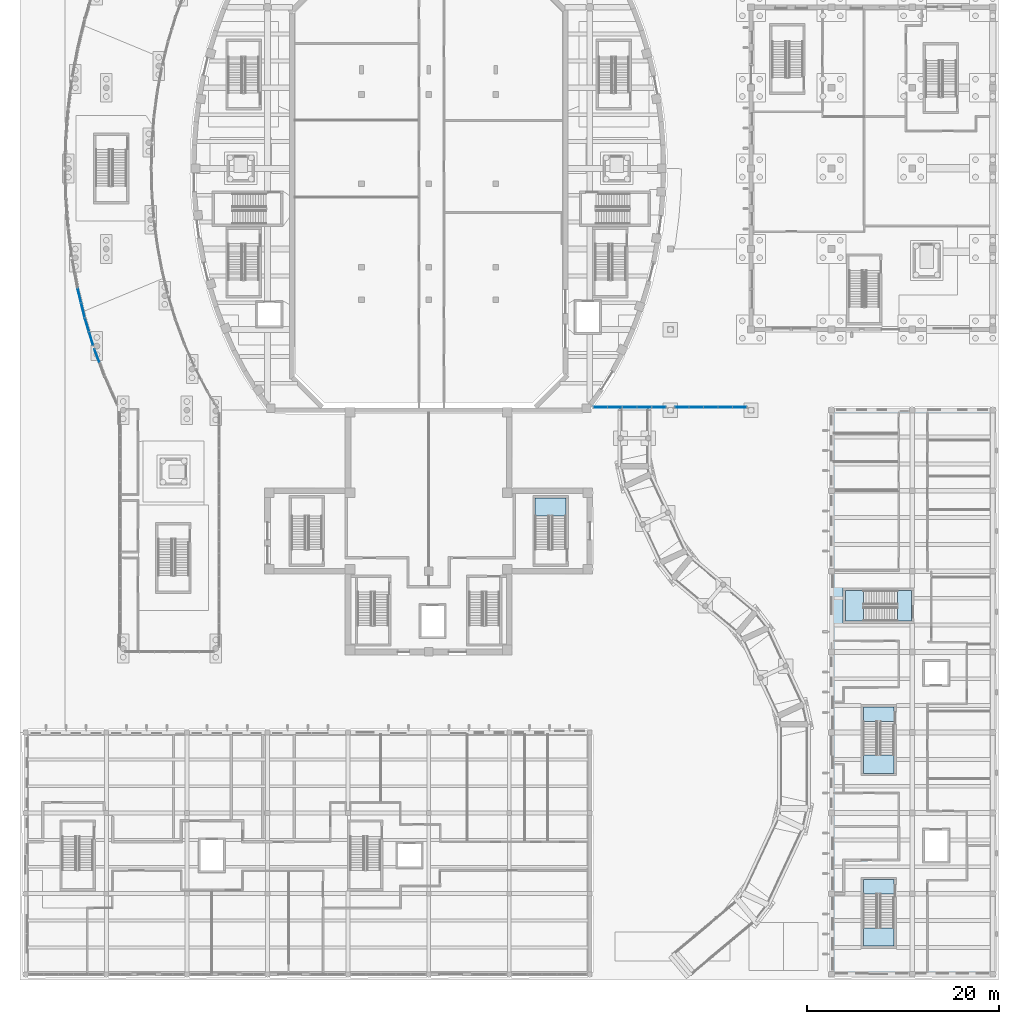
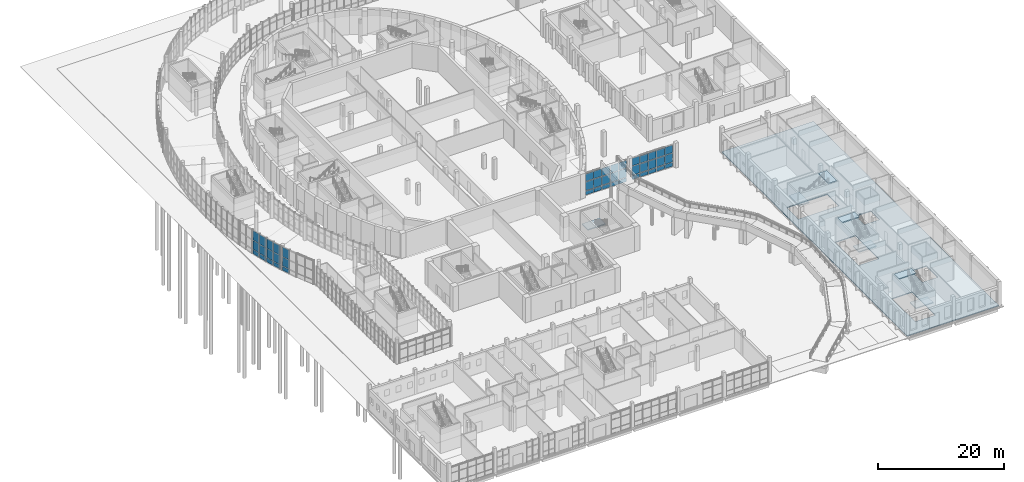
# One storey, part 42 of 110: 45 plates, 8 slabs, 9 elements without a shape of their own.
"""IFC4 building model written with IfcOpenShell, lengths in metres."""

from ifc_helpers import new_model, si_unit, direction, frame, origin, origin_2d, place, context, subcontext, project, spatial, polyline, rectangle, outline, extrude, material, layer, layer_set, type_object, element, aggregate, save


model = new_model("IFC4")

# Units and contexts
model_context = context("Model", 3, precision=1e-05, world=origin(), true_north=direction((0.0, 1.0)))
body_context = subcontext(model_context, "Body", "Model", "MODEL_VIEW")
ifc_project = project(units=[si_unit("LENGTHUNIT", "METRE"), si_unit("AREAUNIT", "SQUARE_METRE"), si_unit("VOLUMEUNIT", "CUBIC_METRE"), si_unit("PLANEANGLEUNIT", "RADIAN"), si_unit("MASSUNIT", "GRAM", prefix="KILO")], contexts=[model_context])

# Site, building, storey
site_placement = place(None, origin())
site = spatial("IfcSite", under=ifc_project, at=site_placement, CompositionType="ELEMENT")
building_placement = place(site_placement, origin())
building = spatial("IfcBuilding", under=site, at=building_placement, Name="Larchfold Concert Hall", CompositionType="ELEMENT")
storey_placement = place(building_placement, origin())
storey = spatial("IfcBuildingStorey", under=building, at=storey_placement, Name="L00", CompositionType="ELEMENT", Elevation=0.0)

# Curtain wall, plates
ifc_material_1 = material(Name="Anodised graphite aluminium curtain wall", Category="aluminium")
ifc_layer_1 = layer(ifc_material_1, 0.14990234375)
ifc_layer_set_1 = layer_set([ifc_layer_1], Name="Anodised graphite aluminium curtain wall")
curtain_wall_type_1 = type_object("IfcCurtainWallType", Name="Curtain wall WG", PredefinedType="NOTDEFINED", material=ifc_layer_set_1)
curtain_wall_1_placement = place(storey_placement, origin())
curtain_wall_1 = element("IfcCurtainWall", 1, at=curtain_wall_1_placement, inside=storey, type_object=curtain_wall_type_1, Name="Curtain wall CW0123", PredefinedType="NOTDEFINED")
ifc_material_2 = material(Name="Insulated glazing unit, glass", Category="glass")
ifc_layer_2 = layer(ifc_material_2, 0.028076171875)
ifc_layer_set_2 = layer_set([ifc_layer_2], Name="Insulated glazing unit, glass")
plate_type_1 = type_object("IfcPlateType", Name="Glass panel 28", PredefinedType="CURTAIN_PANEL", material=ifc_layer_set_2)
plate_1_placement = place(storey_placement, frame((6.19384765625, 71.342041015625, 0.93994140625), z_axis=(0.0, 0.0, 1.0), x_axis=(0.235938309687, -0.97176803509, 0.0)))
plate_1 = element("IfcPlate", 2, at=plate_1_placement, type_object=plate_type_1, Name="CW0123 panel 1.2", PredefinedType="CURTAIN_PANEL", context=body_context, shape_type="SweptSolid", body=[
    extrude(rectangle(XDim=1.50048828125, YDim=0.028076171875, at=origin_2d()), origin(), (0.0, 0.0, 1.0), 1.719970703125),
])
plate_2_placement = place(storey_placement, frame((6.19384765625, 71.342041015625, 2.740234375), z_axis=(0.0, 0.0, 1.0), x_axis=(0.235938309687, -0.97176803509, 0.0)))
plate_2 = element("IfcPlate", 3, at=plate_2_placement, type_object=plate_type_1, Name="CW0123 panel 1.3", PredefinedType="CURTAIN_PANEL", context=body_context, shape_type="SweptSolid", body=[
    extrude(rectangle(XDim=1.50048828125, YDim=0.028076171875, at=origin_2d()), origin(), (0.0, 0.0, 1.0), 1.829833984375),
])
plate_3_placement = place(storey_placement, frame((6.56201171875, 69.82568359375, 0.93994140625), z_axis=(0.0, 0.0, 1.0), x_axis=(0.235938309687, -0.97176803509, 0.0)))
plate_3 = element("IfcPlate", 4, at=plate_3_placement, type_object=plate_type_1, Name="CW0123 panel 2.2", PredefinedType="CURTAIN_PANEL", context=body_context, shape_type="SweptSolid", body=[
    extrude(rectangle(XDim=1.50048828125, YDim=0.028076171875, at=origin_2d()), origin(), (0.0, 0.0, 1.0), 1.719970703125),
])
plate_4_placement = place(storey_placement, frame((6.56201171875, 69.82568359375, 2.740234375), z_axis=(0.0, 0.0, 1.0), x_axis=(0.235938309687, -0.97176803509, 0.0)))
plate_4 = element("IfcPlate", 5, at=plate_4_placement, type_object=plate_type_1, Name="CW0123 panel 2.3", PredefinedType="CURTAIN_PANEL", context=body_context, shape_type="SweptSolid", body=[
    extrude(rectangle(XDim=1.50048828125, YDim=0.028076171875, at=origin_2d()), origin(), (0.0, 0.0, 1.0), 1.829833984375),
])

curtain_wall_2_placement = place(storey_placement, origin())
curtain_wall_2 = element("IfcCurtainWall", 6, at=curtain_wall_2_placement, inside=storey, type_object=curtain_wall_type_1, Name="Curtain wall CW0124", PredefinedType="NOTDEFINED")
plate_5_placement = place(storey_placement, frame((6.978515625, 68.296142578125, 0.93994140625), z_axis=(0.0, 0.0, 1.0), x_axis=(0.29062197605, -0.956837952339, 0.0)))
plate_5 = element("IfcPlate", 7, at=plate_5_placement, type_object=plate_type_1, Name="CW0124 panel 1.2", PredefinedType="CURTAIN_PANEL", context=body_context, shape_type="SweptSolid", body=[
    extrude(rectangle(XDim=1.431396484375, YDim=0.028076171875, at=origin_2d()), origin(), (0.0, 0.0, 1.0), 1.719970703125),
])
plate_6_placement = place(storey_placement, frame((6.978515625, 68.296142578125, 2.740234375), z_axis=(0.0, 0.0, 1.0), x_axis=(0.29062197605, -0.956837952339, 0.0)))
plate_6 = element("IfcPlate", 8, at=plate_6_placement, type_object=plate_type_1, Name="CW0124 panel 1.3", PredefinedType="CURTAIN_PANEL", context=body_context, shape_type="SweptSolid", body=[
    extrude(rectangle(XDim=1.431396484375, YDim=0.028076171875, at=origin_2d()), origin(), (0.0, 0.0, 1.0), 1.829833984375),
])
plate_7_placement = place(storey_placement, frame((7.412109375, 66.869140625, 0.93994140625), z_axis=(0.0, 0.0, 1.0), x_axis=(0.29062197605, -0.956837952339, 0.0)))
plate_7 = element("IfcPlate", 9, at=plate_7_placement, type_object=plate_type_1, Name="CW0124 panel 2.2", PredefinedType="CURTAIN_PANEL", context=body_context, shape_type="SweptSolid", body=[
    extrude(rectangle(XDim=1.431396484375, YDim=0.028076171875, at=origin_2d()), origin(), (0.0, 0.0, 1.0), 1.719970703125),
])
plate_8_placement = place(storey_placement, frame((7.412109375, 66.869140625, 2.740234375), z_axis=(0.0, 0.0, 1.0), x_axis=(0.29062197605, -0.956837952339, 0.0)))
plate_8 = element("IfcPlate", 10, at=plate_8_placement, type_object=plate_type_1, Name="CW0124 panel 2.3", PredefinedType="CURTAIN_PANEL", context=body_context, shape_type="SweptSolid", body=[
    extrude(rectangle(XDim=1.431396484375, YDim=0.028076171875, at=origin_2d()), origin(), (0.0, 0.0, 1.0), 1.829833984375),
])

curtain_wall_3_placement = place(storey_placement, origin())
curtain_wall_3 = element("IfcCurtainWall", 11, at=curtain_wall_3_placement, inside=storey, type_object=curtain_wall_type_1, Name="Curtain wall CW0125", PredefinedType="NOTDEFINED")
plate_9_placement = place(storey_placement, frame((8.01708984375, 65.070556640625, 0.93994140625), z_axis=(0.0, 0.0, 1.0), x_axis=(0.346592402451, -0.938015834921, 0.0)))
plate_9 = element("IfcPlate", 12, at=plate_9_placement, type_object=plate_type_1, Name="CW0125 panel 1.2", PredefinedType="CURTAIN_PANEL", context=body_context, shape_type="SweptSolid", body=[
    extrude(rectangle(XDim=1.446533203125, YDim=0.028076171875, at=origin_2d()), origin(), (0.0, 0.0, 1.0), 1.719970703125),
])
plate_10_placement = place(storey_placement, frame((8.01708984375, 65.070556640625, 2.740234375), z_axis=(0.0, 0.0, 1.0), x_axis=(0.346592402451, -0.938015834921, 0.0)))
plate_10 = element("IfcPlate", 13, at=plate_10_placement, type_object=plate_type_1, Name="CW0125 panel 1.3", PredefinedType="CURTAIN_PANEL", context=body_context, shape_type="SweptSolid", body=[
    extrude(rectangle(XDim=1.446533203125, YDim=0.028076171875, at=origin_2d()), origin(), (0.0, 0.0, 1.0), 1.829833984375),
])

ifc_material_3 = material(Name="Anodised graphite aluminium curtain wall", Category="aluminium")
ifc_layer_3 = layer(ifc_material_3, 0.199951171875)
ifc_layer_set_3 = layer_set([ifc_layer_3], Name="Anodised graphite aluminium curtain wall")
curtain_wall_type_2 = type_object("IfcCurtainWallType", Name="Curtain wall PO", PredefinedType="NOTDEFINED", material=ifc_layer_set_3)
curtain_wall_4_placement = place(storey_placement, origin())
curtain_wall_4 = element("IfcCurtainWall", 14, at=curtain_wall_4_placement, inside=storey, type_object=curtain_wall_type_2, Name="Curtain wall CW0292", PredefinedType="NOTDEFINED")
ifc_material_4 = material(Name="Insulated glazing unit, glass", Category="glass")
ifc_layer_4 = layer(ifc_material_4, 0.031982421875)
ifc_layer_set_4 = layer_set([ifc_layer_4], Name="Insulated glazing unit, glass")
plate_type_2 = type_object("IfcPlateType", Name="Glass panel 32", PredefinedType="CURTAIN_PANEL", material=ifc_layer_set_4)
plate_11_placement = place(storey_placement, frame((60.500732421875, 59.699951171875, 0.9501953125), z_axis=(0.0, 0.0, 1.0), x_axis=(1.0, 0.0, 0.0)))
plate_11 = element("IfcPlate", 15, at=plate_11_placement, type_object=plate_type_2, Name="CW0292 panel 1.2", PredefinedType="CURTAIN_PANEL", context=body_context, shape_type="SweptSolid", body=[
    extrude(rectangle(XDim=1.415283203125, YDim=0.031982421875, at=origin_2d()), origin(), (0.0, 0.0, 1.0), 1.699951171875),
])
plate_12_placement = place(storey_placement, frame((60.500732421875, 59.699951171875, 2.75), z_axis=(0.0, 0.0, 1.0), x_axis=(1.0, 0.0, 0.0)))
plate_12 = element("IfcPlate", 16, at=plate_12_placement, type_object=plate_type_2, Name="CW0292 panel 1.3", PredefinedType="CURTAIN_PANEL", context=body_context, shape_type="SweptSolid", body=[
    extrude(rectangle(XDim=1.415283203125, YDim=0.031982421875, at=origin_2d()), origin(), (0.0, 0.0, 1.0), 1.4501953125),
])
plate_13_placement = place(storey_placement, frame((62.016357421875, 59.699951171875, 0.9501953125), z_axis=(0.0, 0.0, 1.0), x_axis=(1.0, 0.0, 0.0)))
plate_13 = element("IfcPlate", 17, at=plate_13_placement, type_object=plate_type_2, Name="CW0292 panel 2.2", PredefinedType="CURTAIN_PANEL", context=body_context, shape_type="SweptSolid", body=[
    extrude(rectangle(XDim=1.455322265625, YDim=0.031982421875, at=origin_2d()), origin(), (0.0, 0.0, 1.0), 1.699951171875),
])
plate_14_placement = place(storey_placement, frame((62.016357421875, 59.699951171875, 2.75), z_axis=(0.0, 0.0, 1.0), x_axis=(1.0, 0.0, 0.0)))
plate_14 = element("IfcPlate", 18, at=plate_14_placement, type_object=plate_type_2, Name="CW0292 panel 2.3", PredefinedType="CURTAIN_PANEL", context=body_context, shape_type="SweptSolid", body=[
    extrude(rectangle(XDim=1.455322265625, YDim=0.031982421875, at=origin_2d()), origin(), (0.0, 0.0, 1.0), 1.4501953125),
])
plate_15_placement = place(storey_placement, frame((63.551513671875, 59.699951171875, 0.9501953125), z_axis=(0.0, 0.0, 1.0), x_axis=(1.0, 0.0, 0.0)))
plate_15 = element("IfcPlate", 19, at=plate_15_placement, type_object=plate_type_2, Name="CW0292 panel 3.2", PredefinedType="CURTAIN_PANEL", context=body_context, shape_type="SweptSolid", body=[
    extrude(rectangle(XDim=1.455322265625, YDim=0.031982421875, at=origin_2d()), origin(), (0.0, 0.0, 1.0), 1.699951171875),
])
plate_16_placement = place(storey_placement, frame((63.551513671875, 59.699951171875, 2.75), z_axis=(0.0, 0.0, 1.0), x_axis=(1.0, 0.0, 0.0)))
plate_16 = element("IfcPlate", 20, at=plate_16_placement, type_object=plate_type_2, Name="CW0292 panel 3.3", PredefinedType="CURTAIN_PANEL", context=body_context, shape_type="SweptSolid", body=[
    extrude(rectangle(XDim=1.455322265625, YDim=0.031982421875, at=origin_2d()), origin(), (0.0, 0.0, 1.0), 1.4501953125),
])
plate_17_placement = place(storey_placement, frame((65.087158203125, 59.699951171875, 0.9501953125), z_axis=(0.0, 0.0, 1.0), x_axis=(1.0, 0.0, 0.0)))
plate_17 = element("IfcPlate", 21, at=plate_17_placement, type_object=plate_type_2, Name="CW0292 panel 4.2", PredefinedType="CURTAIN_PANEL", context=body_context, shape_type="SweptSolid", body=[
    extrude(rectangle(XDim=1.455322265625, YDim=0.031982421875, at=origin_2d()), origin(), (0.0, 0.0, 1.0), 1.699951171875),
])
plate_18_placement = place(storey_placement, frame((65.087158203125, 59.699951171875, 2.75), z_axis=(0.0, 0.0, 1.0), x_axis=(1.0, 0.0, 0.0)))
plate_18 = element("IfcPlate", 22, at=plate_18_placement, type_object=plate_type_2, Name="CW0292 panel 4.3", PredefinedType="CURTAIN_PANEL", context=body_context, shape_type="SweptSolid", body=[
    extrude(rectangle(XDim=1.455322265625, YDim=0.031982421875, at=origin_2d()), origin(), (0.0, 0.0, 1.0), 1.4501953125),
])
plate_19_placement = place(storey_placement, frame((66.6025390625, 59.699951171875, 0.9501953125), z_axis=(0.0, 0.0, 1.0), x_axis=(1.0, 0.0, 0.0)))
plate_19 = element("IfcPlate", 23, at=plate_19_placement, type_object=plate_type_2, Name="CW0292 panel 5.2", PredefinedType="CURTAIN_PANEL", context=body_context, shape_type="SweptSolid", body=[
    extrude(rectangle(XDim=1.415283203125, YDim=0.031982421875, at=origin_2d()), origin(), (0.0, 0.0, 1.0), 1.699951171875),
])
plate_20_placement = place(storey_placement, frame((66.6025390625, 59.699951171875, 2.75), z_axis=(0.0, 0.0, 1.0), x_axis=(1.0, 0.0, 0.0)))
plate_20 = element("IfcPlate", 24, at=plate_20_placement, type_object=plate_type_2, Name="CW0292 panel 5.3", PredefinedType="CURTAIN_PANEL", context=body_context, shape_type="SweptSolid", body=[
    extrude(rectangle(XDim=1.415283203125, YDim=0.031982421875, at=origin_2d()), origin(), (0.0, 0.0, 1.0), 1.4501953125),
])

curtain_wall_5_placement = place(storey_placement, origin())
curtain_wall_5 = element("IfcCurtainWall", 25, at=curtain_wall_5_placement, inside=storey, type_object=curtain_wall_type_2, Name="Curtain wall CW0293", PredefinedType="NOTDEFINED")
plate_21_placement = place(storey_placement, frame((68.988037109375, 59.699951171875, 0.9501953125), z_axis=(0.0, 0.0, 1.0), x_axis=(1.0, 0.0, 0.0)))
plate_21 = element("IfcPlate", 26, at=plate_21_placement, type_object=plate_type_2, Name="CW0293 panel 1.2", PredefinedType="CURTAIN_PANEL", context=body_context, shape_type="SweptSolid", body=[
    extrude(rectangle(XDim=1.39599609375, YDim=0.031982421875, at=origin_2d()), origin(), (0.0, 0.0, 1.0), 1.699951171875),
])
plate_22_placement = place(storey_placement, frame((68.988037109375, 59.699951171875, 2.75), z_axis=(0.0, 0.0, 1.0), x_axis=(1.0, 0.0, 0.0)))
plate_22 = element("IfcPlate", 27, at=plate_22_placement, type_object=plate_type_2, Name="CW0293 panel 1.3", PredefinedType="CURTAIN_PANEL", context=body_context, shape_type="SweptSolid", body=[
    extrude(rectangle(XDim=1.39599609375, YDim=0.031982421875, at=origin_2d()), origin(), (0.0, 0.0, 1.0), 1.4501953125),
])
plate_23_placement = place(storey_placement, frame((70.48388671875, 59.699951171875, 0.9501953125), z_axis=(0.0, 0.0, 1.0), x_axis=(1.0, 0.0, 0.0)))
plate_23 = element("IfcPlate", 28, at=plate_23_placement, type_object=plate_type_2, Name="CW0293 panel 2.2", PredefinedType="CURTAIN_PANEL", context=body_context, shape_type="SweptSolid", body=[
    extrude(rectangle(XDim=1.43603515625, YDim=0.031982421875, at=origin_2d()), origin(), (0.0, 0.0, 1.0), 1.699951171875),
])
plate_24_placement = place(storey_placement, frame((70.48388671875, 59.699951171875, 2.75), z_axis=(0.0, 0.0, 1.0), x_axis=(1.0, 0.0, 0.0)))
plate_24 = element("IfcPlate", 29, at=plate_24_placement, type_object=plate_type_2, Name="CW0293 panel 2.3", PredefinedType="CURTAIN_PANEL", context=body_context, shape_type="SweptSolid", body=[
    extrude(rectangle(XDim=1.43603515625, YDim=0.031982421875, at=origin_2d()), origin(), (0.0, 0.0, 1.0), 1.4501953125),
])
plate_25_placement = place(storey_placement, frame((72.0, 59.699951171875, 0.9501953125), z_axis=(0.0, 0.0, 1.0), x_axis=(1.0, 0.0, 0.0)))
plate_25 = element("IfcPlate", 30, at=plate_25_placement, type_object=plate_type_2, Name="CW0293 panel 3.2", PredefinedType="CURTAIN_PANEL", context=body_context, shape_type="SweptSolid", body=[
    extrude(rectangle(XDim=1.43603515625, YDim=0.031982421875, at=origin_2d()), origin(), (0.0, 0.0, 1.0), 1.699951171875),
])
plate_26_placement = place(storey_placement, frame((72.0, 59.699951171875, 2.75), z_axis=(0.0, 0.0, 1.0), x_axis=(1.0, 0.0, 0.0)))
plate_26 = element("IfcPlate", 31, at=plate_26_placement, type_object=plate_type_2, Name="CW0293 panel 3.3", PredefinedType="CURTAIN_PANEL", context=body_context, shape_type="SweptSolid", body=[
    extrude(rectangle(XDim=1.43603515625, YDim=0.031982421875, at=origin_2d()), origin(), (0.0, 0.0, 1.0), 1.4501953125),
])
plate_27_placement = place(storey_placement, frame((73.51611328125, 59.699951171875, 0.9501953125), z_axis=(0.0, 0.0, 1.0), x_axis=(1.0, 0.0, 0.0)))
plate_27 = element("IfcPlate", 32, at=plate_27_placement, type_object=plate_type_2, Name="CW0293 panel 4.2", PredefinedType="CURTAIN_PANEL", context=body_context, shape_type="SweptSolid", body=[
    extrude(rectangle(XDim=1.43603515625, YDim=0.031982421875, at=origin_2d()), origin(), (0.0, 0.0, 1.0), 1.699951171875),
])
plate_28_placement = place(storey_placement, frame((73.51611328125, 59.699951171875, 2.75), z_axis=(0.0, 0.0, 1.0), x_axis=(1.0, 0.0, 0.0)))
plate_28 = element("IfcPlate", 33, at=plate_28_placement, type_object=plate_type_2, Name="CW0293 panel 4.3", PredefinedType="CURTAIN_PANEL", context=body_context, shape_type="SweptSolid", body=[
    extrude(rectangle(XDim=1.43603515625, YDim=0.031982421875, at=origin_2d()), origin(), (0.0, 0.0, 1.0), 1.4501953125),
])
plate_29_placement = place(storey_placement, frame((75.011962890625, 59.699951171875, 0.9501953125), z_axis=(0.0, 0.0, 1.0), x_axis=(1.0, 0.0, 0.0)))
plate_29 = element("IfcPlate", 34, at=plate_29_placement, type_object=plate_type_2, Name="CW0293 panel 5.2", PredefinedType="CURTAIN_PANEL", context=body_context, shape_type="SweptSolid", body=[
    extrude(rectangle(XDim=1.39599609375, YDim=0.031982421875, at=origin_2d()), origin(), (0.0, 0.0, 1.0), 1.699951171875),
])
plate_30_placement = place(storey_placement, frame((75.011962890625, 59.699951171875, 2.75), z_axis=(0.0, 0.0, 1.0), x_axis=(1.0, 0.0, 0.0)))
plate_30 = element("IfcPlate", 35, at=plate_30_placement, type_object=plate_type_2, Name="CW0293 panel 5.3", PredefinedType="CURTAIN_PANEL", context=body_context, shape_type="SweptSolid", body=[
    extrude(rectangle(XDim=1.39599609375, YDim=0.031982421875, at=origin_2d()), origin(), (0.0, 0.0, 1.0), 1.4501953125),
])

# Plate
ifc_material_5 = material(Name="White insulated panel")
ifc_layer_5 = layer(ifc_material_5, 0.06005859375)
ifc_layer_set_5 = layer_set([ifc_layer_5], Name="White insulated panel")
plate_type_3 = type_object("IfcPlateType", Name="Insulated spandrel panel 60", PredefinedType="CURTAIN_PANEL", material=ifc_layer_set_5)
plate_31_placement = place(storey_placement, frame((6.19384765625, 71.342041015625, 0.080078125), z_axis=(0.0, 0.0, 1.0), x_axis=(0.235938309687, -0.97176803509, 0.0)))
plate_31 = element("IfcPlate", 36, at=plate_31_placement, type_object=plate_type_3, Name="CW0123 panel 1.1", PredefinedType="CURTAIN_PANEL", context=body_context, shape_type="SweptSolid", body=[
    extrude(rectangle(XDim=1.50048828125, YDim=0.06005859375, at=origin_2d()), origin(), (0.0, 0.0, 1.0), 0.77978515625),
])

plate_32_placement = place(storey_placement, frame((6.56201171875, 69.82568359375, 0.080078125), z_axis=(0.0, 0.0, 1.0), x_axis=(0.235938309687, -0.97176803509, 0.0)))
plate_32 = element("IfcPlate", 37, at=plate_32_placement, type_object=plate_type_3, Name="CW0123 panel 2.1", PredefinedType="CURTAIN_PANEL", context=body_context, shape_type="SweptSolid", body=[
    extrude(rectangle(XDim=1.50048828125, YDim=0.06005859375, at=origin_2d()), origin(), (0.0, 0.0, 1.0), 0.77978515625),
])

aggregate(curtain_wall_1, [plate_31, plate_1, plate_2, plate_32, plate_3, plate_4])

plate_33_placement = place(storey_placement, frame((6.978515625, 68.296142578125, 0.080078125), z_axis=(0.0, 0.0, 1.0), x_axis=(0.29062197605, -0.956837952339, 0.0)))
plate_33 = element("IfcPlate", 38, at=plate_33_placement, type_object=plate_type_3, Name="CW0124 panel 1.1", PredefinedType="CURTAIN_PANEL", context=body_context, shape_type="SweptSolid", body=[
    extrude(rectangle(XDim=1.431396484375, YDim=0.06005859375, at=origin_2d()), origin(), (0.0, 0.0, 1.0), 0.77978515625),
])

plate_34_placement = place(storey_placement, frame((7.412109375, 66.869140625, 0.080078125), z_axis=(0.0, 0.0, 1.0), x_axis=(0.29062197605, -0.956837952339, 0.0)))
plate_34 = element("IfcPlate", 39, at=plate_34_placement, type_object=plate_type_3, Name="CW0124 panel 2.1", PredefinedType="CURTAIN_PANEL", context=body_context, shape_type="SweptSolid", body=[
    extrude(rectangle(XDim=1.431396484375, YDim=0.06005859375, at=origin_2d()), origin(), (0.0, 0.0, 1.0), 0.77978515625),
])

aggregate(curtain_wall_2, [plate_33, plate_5, plate_6, plate_34, plate_7, plate_8])

plate_35_placement = place(storey_placement, frame((8.01708984375, 65.070556640625, 0.080078125), z_axis=(0.0, 0.0, 1.0), x_axis=(0.346592402451, -0.938015834921, 0.0)))
plate_35 = element("IfcPlate", 40, at=plate_35_placement, type_object=plate_type_3, Name="CW0125 panel 1.1", PredefinedType="CURTAIN_PANEL", context=body_context, shape_type="SweptSolid", body=[
    extrude(rectangle(XDim=1.446533203125, YDim=0.06005859375, at=origin_2d()), origin(), (0.0, 0.0, 1.0), 0.77978515625),
])

aggregate(curtain_wall_3, [plate_35, plate_9, plate_10])

ifc_material_6 = material(Name="White insulated panel")
ifc_layer_6 = layer(ifc_material_6, 0.070068359375)
ifc_layer_set_6 = layer_set([ifc_layer_6], Name="White insulated panel")
plate_type_4 = type_object("IfcPlateType", Name="Insulated spandrel panel 70", PredefinedType="CURTAIN_PANEL", material=ifc_layer_set_6)
plate_36_placement = place(storey_placement, frame((60.500732421875, 59.699951171875, 0.099853515625), z_axis=(0.0, 0.0, 1.0), x_axis=(1.0, 0.0, 0.0)))
plate_36 = element("IfcPlate", 41, at=plate_36_placement, type_object=plate_type_4, Name="CW0292 panel 1.1", PredefinedType="CURTAIN_PANEL", context=body_context, shape_type="SweptSolid", body=[
    extrude(rectangle(XDim=1.415283203125, YDim=0.070068359375, at=origin_2d()), origin(), (0.0, 0.0, 1.0), 0.75),
])

plate_37_placement = place(storey_placement, frame((62.016357421875, 59.699951171875, 0.099853515625), z_axis=(0.0, 0.0, 1.0), x_axis=(1.0, 0.0, 0.0)))
plate_37 = element("IfcPlate", 42, at=plate_37_placement, type_object=plate_type_4, Name="CW0292 panel 2.1", PredefinedType="CURTAIN_PANEL", context=body_context, shape_type="SweptSolid", body=[
    extrude(rectangle(XDim=1.455322265625, YDim=0.070068359375, at=origin_2d()), origin(), (0.0, 0.0, 1.0), 0.75),
])

plate_38_placement = place(storey_placement, frame((63.551513671875, 59.699951171875, 0.099853515625), z_axis=(0.0, 0.0, 1.0), x_axis=(1.0, 0.0, 0.0)))
plate_38 = element("IfcPlate", 43, at=plate_38_placement, type_object=plate_type_4, Name="CW0292 panel 3.1", PredefinedType="CURTAIN_PANEL", context=body_context, shape_type="SweptSolid", body=[
    extrude(rectangle(XDim=1.455322265625, YDim=0.070068359375, at=origin_2d()), origin(), (0.0, 0.0, 1.0), 0.75),
])

plate_39_placement = place(storey_placement, frame((65.087158203125, 59.699951171875, 0.099853515625), z_axis=(0.0, 0.0, 1.0), x_axis=(1.0, 0.0, 0.0)))
plate_39 = element("IfcPlate", 44, at=plate_39_placement, type_object=plate_type_4, Name="CW0292 panel 4.1", PredefinedType="CURTAIN_PANEL", context=body_context, shape_type="SweptSolid", body=[
    extrude(rectangle(XDim=1.455322265625, YDim=0.070068359375, at=origin_2d()), origin(), (0.0, 0.0, 1.0), 0.75),
])

plate_40_placement = place(storey_placement, frame((66.6025390625, 59.699951171875, 0.099853515625), z_axis=(0.0, 0.0, 1.0), x_axis=(1.0, 0.0, 0.0)))
plate_40 = element("IfcPlate", 45, at=plate_40_placement, type_object=plate_type_4, Name="CW0292 panel 5.1", PredefinedType="CURTAIN_PANEL", context=body_context, shape_type="SweptSolid", body=[
    extrude(rectangle(XDim=1.415283203125, YDim=0.070068359375, at=origin_2d()), origin(), (0.0, 0.0, 1.0), 0.75),
])

aggregate(curtain_wall_4, [plate_36, plate_11, plate_12, plate_37, plate_13, plate_14, plate_38, plate_15, plate_16, plate_39, plate_17, plate_18, plate_40, plate_19, plate_20])

plate_41_placement = place(storey_placement, frame((68.988037109375, 59.699951171875, 0.099853515625), z_axis=(0.0, 0.0, 1.0), x_axis=(1.0, 0.0, 0.0)))
plate_41 = element("IfcPlate", 46, at=plate_41_placement, type_object=plate_type_4, Name="CW0293 panel 1.1", PredefinedType="CURTAIN_PANEL", context=body_context, shape_type="SweptSolid", body=[
    extrude(rectangle(XDim=1.39599609375, YDim=0.070068359375, at=origin_2d()), origin(), (0.0, 0.0, 1.0), 0.75),
])

plate_42_placement = place(storey_placement, frame((70.48388671875, 59.699951171875, 0.099853515625), z_axis=(0.0, 0.0, 1.0), x_axis=(1.0, 0.0, 0.0)))
plate_42 = element("IfcPlate", 47, at=plate_42_placement, type_object=plate_type_4, Name="CW0293 panel 2.1", PredefinedType="CURTAIN_PANEL", context=body_context, shape_type="SweptSolid", body=[
    extrude(rectangle(XDim=1.43603515625, YDim=0.070068359375, at=origin_2d()), origin(), (0.0, 0.0, 1.0), 0.75),
])

plate_43_placement = place(storey_placement, frame((72.0, 59.699951171875, 0.099853515625), z_axis=(0.0, 0.0, 1.0), x_axis=(1.0, 0.0, 0.0)))
plate_43 = element("IfcPlate", 48, at=plate_43_placement, type_object=plate_type_4, Name="CW0293 panel 3.1", PredefinedType="CURTAIN_PANEL", context=body_context, shape_type="SweptSolid", body=[
    extrude(rectangle(XDim=1.43603515625, YDim=0.070068359375, at=origin_2d()), origin(), (0.0, 0.0, 1.0), 0.75),
])

plate_44_placement = place(storey_placement, frame((73.51611328125, 59.699951171875, 0.099853515625), z_axis=(0.0, 0.0, 1.0), x_axis=(1.0, 0.0, 0.0)))
plate_44 = element("IfcPlate", 49, at=plate_44_placement, type_object=plate_type_4, Name="CW0293 panel 4.1", PredefinedType="CURTAIN_PANEL", context=body_context, shape_type="SweptSolid", body=[
    extrude(rectangle(XDim=1.43603515625, YDim=0.070068359375, at=origin_2d()), origin(), (0.0, 0.0, 1.0), 0.75),
])

plate_45_placement = place(storey_placement, frame((75.011962890625, 59.699951171875, 0.099853515625), z_axis=(0.0, 0.0, 1.0), x_axis=(1.0, 0.0, 0.0)))
plate_45 = element("IfcPlate", 50, at=plate_45_placement, type_object=plate_type_4, Name="CW0293 panel 5.1", PredefinedType="CURTAIN_PANEL", context=body_context, shape_type="SweptSolid", body=[
    extrude(rectangle(XDim=1.39599609375, YDim=0.070068359375, at=origin_2d()), origin(), (0.0, 0.0, 1.0), 0.75),
])

aggregate(curtain_wall_5, [plate_41, plate_21, plate_22, plate_42, plate_23, plate_24, plate_43, plate_25, plate_26, plate_44, plate_27, plate_28, plate_45, plate_29, plate_30])

# Slab
ifc_material_7 = material(Name="Concrete C35/45", Category="concrete")
ifc_layer_7 = layer(ifc_material_7, 0.159912109375)
ifc_layer_set_7 = layer_set([ifc_layer_7], Name="Concrete C35/45")
slab_type_1 = type_object("IfcSlabType", Name="Slab 160", PredefinedType="FLOOR", material=ifc_layer_set_7)
slab_1_placement = place(storey_placement, frame((0.0, 0.0, -0.16015625)))
element("IfcSlab", 51, at=slab_1_placement, inside=storey, type_object=slab_type_1, Name="Slab S0002", PredefinedType="FLOOR", context=body_context, shape_type="SweptSolid", body=[
    extrude(outline(polyline([(84.60009765625, 0.60009765625), (101.39990234375, 0.60009765625), (101.39990234375, 59.39990234375), (84.60009765625, 59.39990234375), (84.60009765625, 0.60009765625)]), holes=[polyline([(87.64990234375, 3.300048828125), (87.64990234375, 10.699951171875), (91.35009765625, 10.699951171875), (91.35009765625, 3.300048828125), (87.64990234375, 3.300048828125)]), polyline([(94.10009765625, 12.199951171875), (94.10009765625, 15.800048828125), (96.89990234375, 15.800048828125), (96.89990234375, 12.199951171875), (94.10009765625, 12.199951171875)]), polyline([(87.64990234375, 21.300048828125), (87.64990234375, 28.699951171875), (91.35009765625, 28.699951171875), (91.35009765625, 21.300048828125), (87.64990234375, 21.300048828125)]), polyline([(94.10009765625, 33.39990234375), (96.89990234375, 33.39990234375), (96.89990234375, 30.60009765625), (94.10009765625, 30.60009765625), (94.10009765625, 33.39990234375)]), polyline([(85.800048828125, 40.85009765625), (93.199951171875, 40.85009765625), (93.199951171875, 37.14990234375), (85.800048828125, 37.14990234375), (85.800048828125, 40.85009765625)])]), origin(), (0.0, 0.0, 1.0), 0.16015625),
])

# Stair, slab
ifc_material_8 = material(Name="Concrete C35/45", Category="concrete")
stair_type = type_object("IfcStairType", Name="Stair RC half-turn enclosed", PredefinedType="HALF_TURN_STAIR", material=ifc_material_8)
stair_1_placement = place(storey_placement, origin())
stair_1 = element("IfcStair", 52, at=stair_1_placement, inside=storey, type_object=stair_type, Name="Stair SH2", PredefinedType="HALF_TURN_STAIR")
ifc_material_9 = material(Name="Concrete C35/45", Category="concrete")
ifc_layer_8 = layer(ifc_material_9, 0.199951171875)
ifc_layer_set_8 = layer_set([ifc_layer_8], Name="Concrete C35/45")
slab_type_2 = type_object("IfcSlabType", Name="Stair landing RC 200", PredefinedType="LANDING", material=ifc_layer_set_8)
slab_2_placement = place(storey_placement, frame((0.0, 0.0, 2.199951171875)))
slab_2 = element("IfcSlab", 53, at=slab_2_placement, type_object=slab_type_2, Name="ST10 landing 1", PredefinedType="LANDING", context=body_context, shape_type="SweptSolid", body=[
    extrude(outline(polyline([(56.89990234375, 48.360107421875), (56.89990234375, 50.25), (53.699951171875, 50.25), (53.699951171875, 48.360107421875), (56.89990234375, 48.360107421875)])), origin(), (0.0, 0.0, 1.0), 0.199951171875),
])
aggregate(stair_1, [slab_2])

# Stair, slabs
stair_2_placement = place(storey_placement, origin())
stair_2 = element("IfcStair", 54, at=stair_2_placement, inside=storey, type_object=stair_type, Name="Stair AW1", PredefinedType="HALF_TURN_STAIR")
slab_3_placement = place(storey_placement, frame((0.0, 0.0, 2.199951171875)))
slab_3 = element("IfcSlab", 55, at=slab_3_placement, type_object=slab_type_2, Name="ST13 landing 1", PredefinedType="LANDING", context=body_context, shape_type="SweptSolid", body=[
    extrude(outline(polyline([(87.89990234375, 5.43994140625), (87.89990234375, 3.550048828125), (91.099853515625, 3.550048828125), (91.099853515625, 5.43994140625), (87.89990234375, 5.43994140625)])), origin(), (0.0, 0.0, 1.0), 0.199951171875),
])
slab_4_placement = place(storey_placement, frame((0.0, 0.0, 4.60009765625)))
slab_4 = element("IfcSlab", 56, at=slab_4_placement, type_object=slab_type_2, Name="ST13 landing 2", PredefinedType="LANDING", context=body_context, shape_type="SweptSolid", body=[
    extrude(outline(polyline([(87.89990234375, 10.449951171875), (87.89990234375, 8.949951171875), (91.10009765625, 8.949951171875), (91.10009765625, 10.449951171875), (87.89990234375, 10.449951171875)])), origin(), (0.0, 0.0, 1.0), 0.199951171875),
])
aggregate(stair_2, [slab_3, slab_4])

stair_3_placement = place(storey_placement, origin())
stair_3 = element("IfcStair", 57, at=stair_3_placement, inside=storey, type_object=stair_type, Name="Stair AW2", PredefinedType="HALF_TURN_STAIR")
slab_5_placement = place(storey_placement, frame((0.0, 0.0, 2.199951171875)))
slab_5 = element("IfcSlab", 58, at=slab_5_placement, type_object=slab_type_2, Name="ST14 landing 1", PredefinedType="LANDING", context=body_context, shape_type="SweptSolid", body=[
    extrude(outline(polyline([(87.89990234375, 23.43994140625), (87.89990234375, 21.550048828125), (91.099853515625, 21.550048828125), (91.099853515625, 23.43994140625), (87.89990234375, 23.43994140625)])), origin(), (0.0, 0.0, 1.0), 0.199951171875),
])
slab_6_placement = place(storey_placement, frame((0.0, 0.0, 4.60009765625)))
slab_6 = element("IfcSlab", 59, at=slab_6_placement, type_object=slab_type_2, Name="ST14 landing 2", PredefinedType="LANDING", context=body_context, shape_type="SweptSolid", body=[
    extrude(outline(polyline([(87.89990234375, 28.449951171875), (87.89990234375, 26.949951171875), (91.10009765625, 26.949951171875), (91.10009765625, 28.449951171875), (87.89990234375, 28.449951171875)])), origin(), (0.0, 0.0, 1.0), 0.199951171875),
])
aggregate(stair_3, [slab_5, slab_6])

stair_4_placement = place(storey_placement, origin())
stair_4 = element("IfcStair", 60, at=stair_4_placement, inside=storey, type_object=stair_type, Name="Stair AW3", PredefinedType="HALF_TURN_STAIR")
slab_7_placement = place(storey_placement, frame((0.0, 0.0, 2.199951171875)))
slab_7 = element("IfcSlab", 61, at=slab_7_placement, type_object=slab_type_2, Name="ST15 landing 1", PredefinedType="LANDING", context=body_context, shape_type="SweptSolid", body=[
    extrude(outline(polyline([(87.93994140625, 40.60009765625), (86.050048828125, 40.60009765625), (86.050048828125, 37.400146484375), (87.93994140625, 37.400146484375), (87.93994140625, 40.60009765625)])), origin(), (0.0, 0.0, 1.0), 0.199951171875),
])
slab_8_placement = place(storey_placement, frame((0.0, 0.0, 4.60009765625)))
slab_8 = element("IfcSlab", 62, at=slab_8_placement, type_object=slab_type_2, Name="ST15 landing 2", PredefinedType="LANDING", context=body_context, shape_type="SweptSolid", body=[
    extrude(outline(polyline([(92.949951171875, 40.60009765625), (91.449951171875, 40.60009765625), (91.449951171875, 37.39990234375), (92.949951171875, 37.39990234375), (92.949951171875, 40.60009765625)])), origin(), (0.0, 0.0, 1.0), 0.199951171875),
])
aggregate(stair_4, [slab_7, slab_8])

save(model, "model.ifc")
